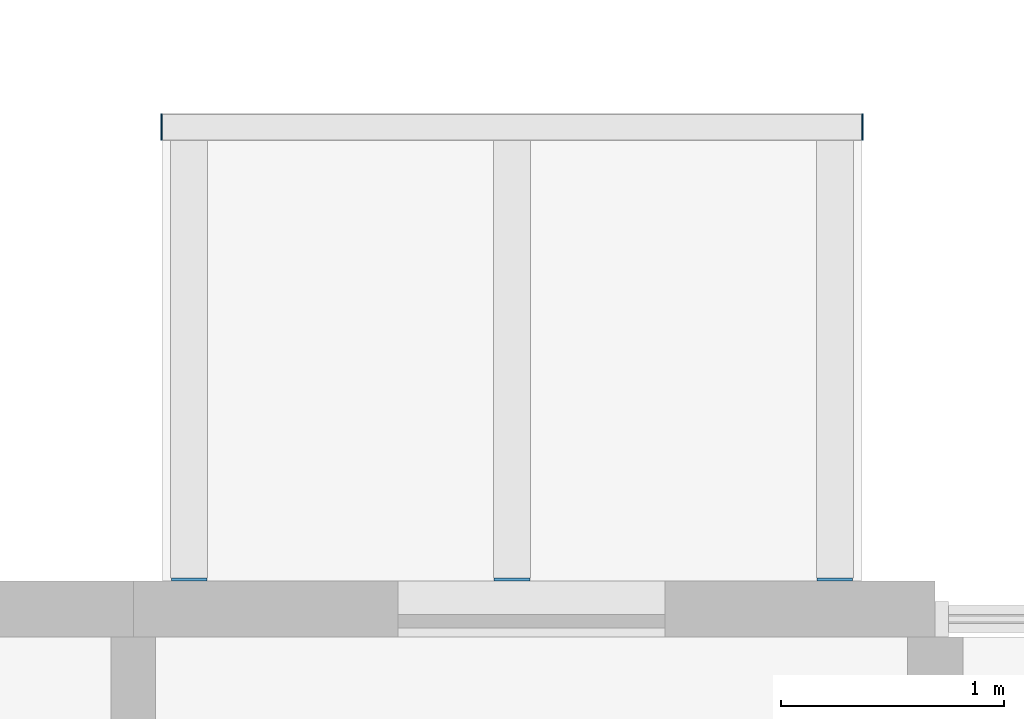
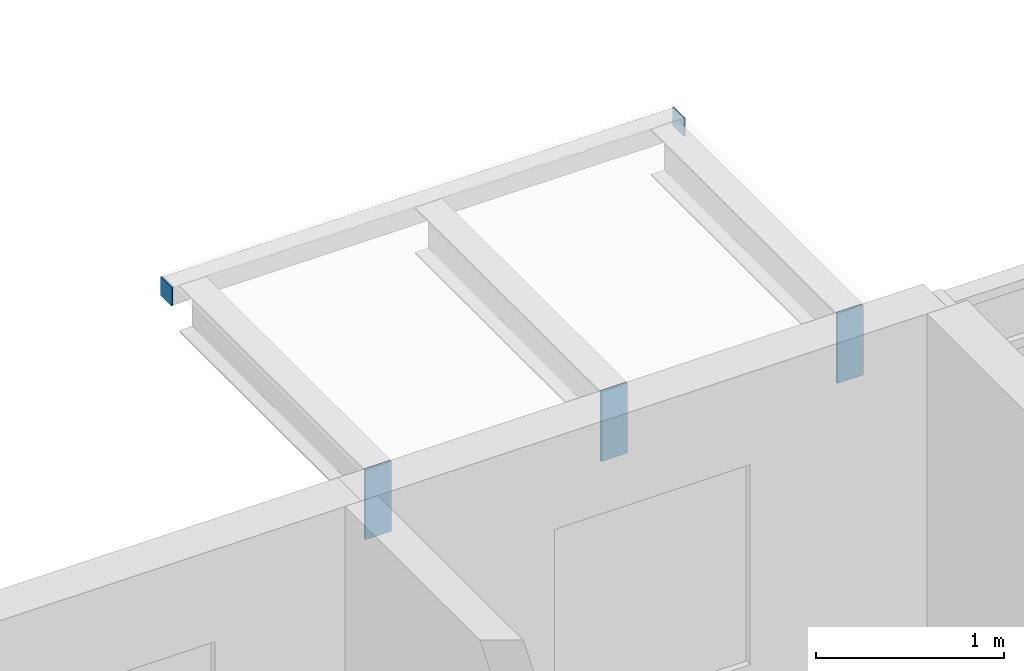
# One storey, part 67 of 87: 5 discrete accessories.
"""IFC4 building model written with IfcOpenShell, lengths in metres."""

from ifc_helpers import new_model, si_unit, direction, frame, origin, origin_2d, place, context, subcontext, project, spatial, rectangle, extrude, material, layer, layer_set, type_object, element, save


model = new_model("IFC4")

# Units and contexts
model_context = context("Model", 3, precision=1e-05, world=origin(), true_north=direction((0.0, 1.0)))
body_context = subcontext(model_context, "Body", "Model", "MODEL_VIEW")
ifc_project = project(units=[si_unit("LENGTHUNIT", "METRE"), si_unit("AREAUNIT", "SQUARE_METRE"), si_unit("VOLUMEUNIT", "CUBIC_METRE"), si_unit("PLANEANGLEUNIT", "RADIAN"), si_unit("MASSUNIT", "GRAM", prefix="KILO")], contexts=[model_context])

# Site, building, storey
site_placement = place(None, origin())
site = spatial("IfcSite", under=ifc_project, at=site_placement, CompositionType="ELEMENT")
building_placement = place(site_placement, origin())
building = spatial("IfcBuilding", under=site, at=building_placement, Name="Ridgestep Commons", CompositionType="ELEMENT")
storey_placement = place(building_placement, frame((0.0, 0.0, 27.0)))
storey = spatial("IfcBuildingStorey", under=building, at=storey_placement, Name="L09", CompositionType="ELEMENT", Elevation=27.0)

# Discrete accessories
ifc_material_1 = material(Name="Weathering steel S355J2W", Category="steel")
ifc_layer_1 = layer(ifc_material_1, 0.014892578125)
ifc_layer_set_1 = layer_set([ifc_layer_1], Name="Tray bracket plate 15")
discrete_accessory_type_1 = type_object("IfcDiscreteAccessoryType", Name="Tray bracket plate 15", PredefinedType="BRACKET", material=ifc_layer_set_1)
for number, where, z_axis, x_axis, name in (
    (1, (187.85009765625, 23.007568359375, 2.53662109375), (0.0, 0.0, 1.0), (1.0, 0.0, 0.0), "Tray bracket D3T3-10.1"),
    (2, (189.300048828125, 23.007568359375, 2.53662109375), (0.0, 0.0, 1.0), (1.0, 0.0, 0.0), "Tray bracket D3T3-10.2"),
    (3, (190.75, 23.007568359375, 2.53662109375), (0.0, 0.0, 1.0), (1.0, 0.0, 0.0), "Tray bracket D3T3-10.3"),
):
    element("IfcDiscreteAccessory", number, at=place(storey_placement, frame(where, z_axis=z_axis, x_axis=x_axis)), inside=storey, type_object=discrete_accessory_type_1, Name=name, PredefinedType="BRACKET", context=body_context, shape_type="SweptSolid", body=[
        extrude(rectangle(XDim=0.159912109375, YDim=0.014892578125, at=origin_2d()), origin(), (0.0, 0.0, 1.0), 0.453369140625),
    ])
ifc_material_2 = material(Name="Weathering steel S355J2W", Category="steel")
ifc_layer_2 = layer(ifc_material_2, 0.008056640625)
ifc_layer_set_2 = layer_set([ifc_layer_2], Name="Tray edge member end plate 120 x 120 x 8")
discrete_accessory_type_2 = type_object("IfcDiscreteAccessoryType", Name="Tray edge member end plate 120 x 120 x 8", PredefinedType="BRACKET", material=ifc_layer_set_2)
for number, where, z_axis, x_axis, name in (
    (4, (187.72607421875, 25.0400390625, 2.869873046875), (0.0, 0.0, 1.0), (1.0, 0.0, 0.0), "Tray edge member end plate D3T3-10 west"),
    (5, (190.8740234375, 25.0400390625, 2.869873046875), (0.0, 0.0, 1.0), (1.0, 0.0, 0.0), "Tray edge member end plate D3T3-10 east"),
):
    element("IfcDiscreteAccessory", number, at=place(storey_placement, frame(where, z_axis=z_axis, x_axis=x_axis)), inside=storey, type_object=discrete_accessory_type_2, Name=name, PredefinedType="BRACKET", context=body_context, shape_type="SweptSolid", body=[
        extrude(rectangle(XDim=0.008056640625, YDim=0.1201171875, at=origin_2d()), origin(), (0.0, 0.0, 1.0), 0.1201171875),
    ])

save(model, "model.ifc")
